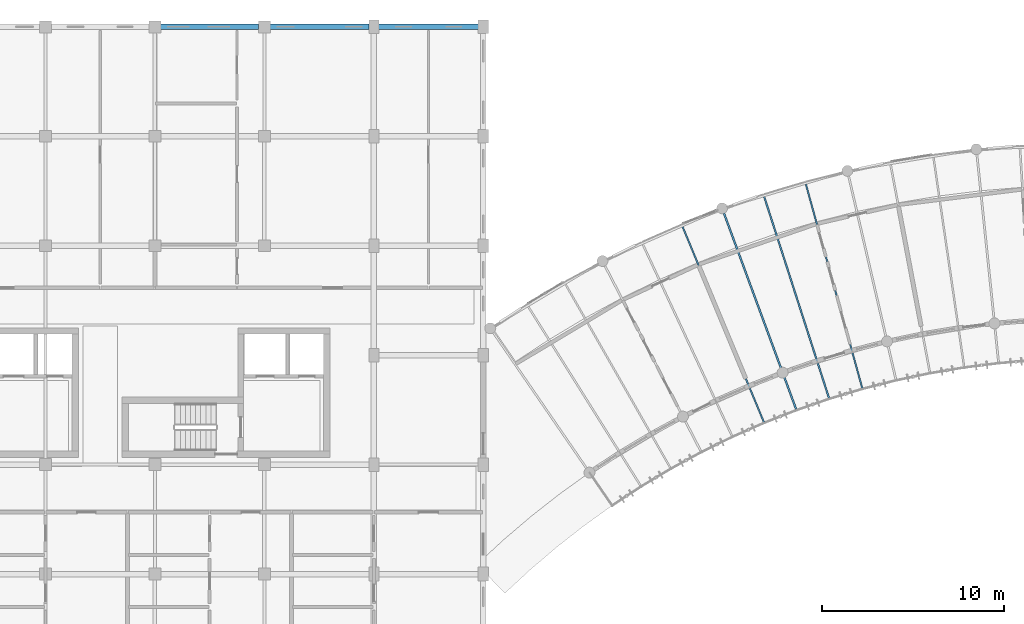
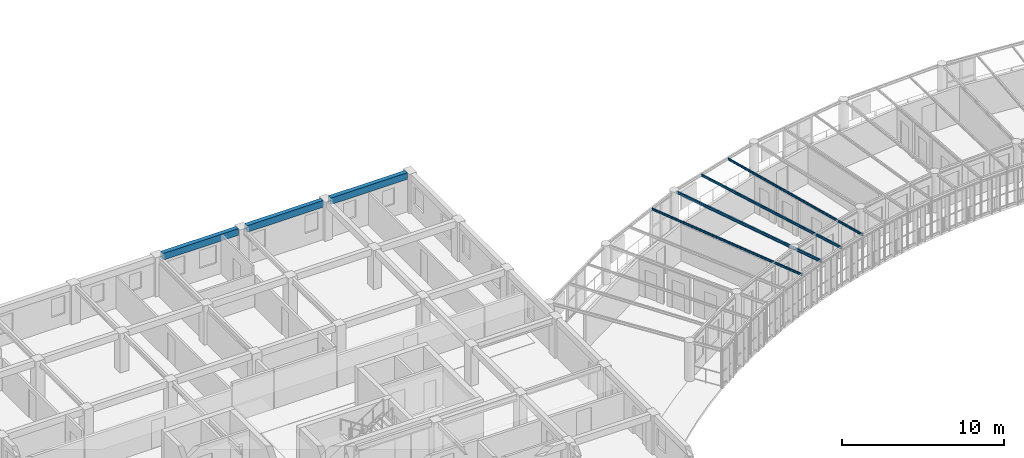
# One storey, part 33 of 100: 7 beams.
"""IFC4 building model written with IfcOpenShell, lengths in metres."""

from ifc_helpers import new_model, si_unit, direction, frame, origin, origin_2d, place, context, subcontext, project, spatial, rectangle, i_section, extrude, material, material_profile, profile_set, type_object, element, save


model = new_model("IFC4")

# Units and contexts
model_context = context("Model", 3, precision=1e-05, world=origin(), true_north=direction((0.0, 1.0)))
body_context = subcontext(model_context, "Body", "Model", "MODEL_VIEW")
ifc_project = project(units=[si_unit("LENGTHUNIT", "METRE"), si_unit("AREAUNIT", "SQUARE_METRE"), si_unit("VOLUMEUNIT", "CUBIC_METRE"), si_unit("PLANEANGLEUNIT", "RADIAN"), si_unit("MASSUNIT", "GRAM", prefix="KILO"), si_unit("POWERUNIT", "WATT"), si_unit("THERMODYNAMICTEMPERATUREUNIT", "KELVIN")], contexts=[model_context])

# Site, building, storey
site_placement = place(None, origin())
site = spatial("IfcSite", under=ifc_project, at=site_placement, CompositionType="ELEMENT")
building_placement = place(site_placement, origin())
building = spatial("IfcBuilding", under=site, at=building_placement, Name="Ruvembo Vaulted Housing Court", CompositionType="ELEMENT")
storey_placement = place(building_placement, frame((0.0, 0.0, 14.10009765625)))
storey = spatial("IfcBuildingStorey", under=building, at=storey_placement, Name="L04", CompositionType="ELEMENT", Elevation=14.10009765625)

# Beams
ifc_material_1 = material(Name="Steel S355J2", Category="steel")
ifc_material_profile_1 = material_profile(ifc_material_1, i_section(OverallWidth=0.08203125, OverallDepth=0.159912109375, WebThickness=0.0048828125, FlangeThickness=0.00732421875, FilletRadius=0.009033203125, at=origin_2d()), Name="IPE 160")
ifc_profile_set_1 = profile_set([ifc_material_profile_1], Name="Steel S355J2")
beam_type_1 = type_object("IfcBeamType", Name="BM-ST-IPE160", PredefinedType="JOIST", material=ifc_profile_set_1)
beam_1_placement = place(storey_placement, frame((94.927001953125, 103.041259765625, 2.85986328125), z_axis=(0.384209051793, -0.92324612348, 0.0), x_axis=(0.92324612348, 0.384209051793, 0.0)))
element("IfcBeam", 1, at=beam_1_placement, inside=storey, type_object=beam_type_1, Name="Scoop SC3 L04 Radial Steel Joist 5", PredefinedType="JOIST", context=body_context, shape_type="SweptSolid", body=[
    extrude(i_section(OverallWidth=0.08203125, OverallDepth=0.159912109375, WebThickness=0.0048828125, FlangeThickness=0.00732421875, FilletRadius=0.009033203125, at=origin_2d()), origin(), (0.0, 0.0, 1.0), 11.690673828125),
])
beam_2_placement = place(storey_placement, frame((101.68603515625, 105.3720703125, 2.85986328125), z_axis=(0.266572021247, -0.963815001693, 0.0), x_axis=(0.963815001693, 0.266572021247, 0.0)))
element("IfcBeam", 2, at=beam_2_placement, inside=storey, type_object=beam_type_1, Name="Scoop SC3 L04 Radial Steel Joist 8", PredefinedType="JOIST", context=body_context, shape_type="SweptSolid", body=[
    extrude(i_section(OverallWidth=0.08203125, OverallDepth=0.159912109375, WebThickness=0.0048828125, FlangeThickness=0.00732421875, FilletRadius=0.009033203125, at=origin_2d()), origin(), (0.0, 0.0, 1.0), 11.69091796875),
])
ifc_material_profile_2 = material_profile(ifc_material_1, i_section(OverallWidth=0.091064453125, OverallDepth=0.179931640625, WebThickness=0.00537109375, FlangeThickness=0.008056640625, FilletRadius=0.009033203125, at=origin_2d()), Name="IPE 180")
ifc_profile_set_2 = profile_set([ifc_material_profile_2], Name="Steel S355J2")
beam_type_2 = type_object("IfcBeamType", Name="BM-ST-IPE180", PredefinedType="JOIST", material=ifc_profile_set_2)
beam_3_placement = place(storey_placement, frame((99.4013671875, 104.68896484375, 2.849853515625), z_axis=(0.306337017889, -0.951923122669, 0.0), x_axis=(0.951923122669, 0.306337017889, 0.0)))
element("IfcBeam", 3, at=beam_3_placement, inside=storey, type_object=beam_type_2, Name="Scoop SC3 L04 Radial Steel Joist 7", PredefinedType="JOIST", context=body_context, shape_type="SweptSolid", body=[
    extrude(i_section(OverallWidth=0.091064453125, OverallDepth=0.179931640625, WebThickness=0.00537109375, FlangeThickness=0.008056640625, FilletRadius=0.009033203125, at=origin_2d()), origin(), (0.0, 0.0, 1.0), 11.690673828125),
])
ifc_material_profile_3 = material_profile(ifc_material_1, i_section(OverallWidth=0.10009765625, OverallDepth=0.199951171875, WebThickness=0.005615234375, FlangeThickness=0.008544921875, FilletRadius=0.011962890625, at=origin_2d()), Name="IPE 200")
ifc_profile_set_3 = profile_set([ifc_material_profile_3], Name="Steel S355J2")
beam_type_3 = type_object("IfcBeamType", Name="BM-ST-IPE200", PredefinedType="BEAM", material=ifc_profile_set_3)
beam_4_placement = place(storey_placement, frame((97.1611328125, 103.873291015625, 2.83984375), z_axis=(0.345566482386, -0.93839427015, 0.0), x_axis=(0.93839427015, 0.345566482386, 0.0)))
element("IfcBeam", 4, at=beam_4_placement, inside=storey, type_object=beam_type_3, Name="Scoop SC3 L04 Radial Steel Joist 6", PredefinedType="BEAM", context=body_context, shape_type="SweptSolid", body=[
    extrude(i_section(OverallWidth=0.10009765625, OverallDepth=0.199951171875, WebThickness=0.005615234375, FlangeThickness=0.008544921875, FilletRadius=0.011962890625, at=origin_2d()), origin(), (0.0, 0.0, 1.0), 11.650146484375),
])
ifc_material_2 = material(Name="Concrete C35/45", Category="concrete")
ifc_material_profile_4 = material_profile(ifc_material_2, rectangle(XDim=0.300048828125, YDim=0.5, at=origin_2d()), Name="RC 300x500")
ifc_profile_set_4 = profile_set([ifc_material_profile_4], Name="Concrete C35/45")
beam_type_4 = type_object("IfcBeamType", Name="SP-RC-300x500", PredefinedType="SPANDREL", material=ifc_profile_set_4)
beam_5_placement = place(storey_placement, frame((66.31005859375, 114.0, 2.699951171875), z_axis=(1.0, 0.0, 0.0), x_axis=(0.0, 1.0, 0.0)))
element("IfcBeam", 5, at=beam_5_placement, inside=storey, type_object=beam_type_4, Name="L04 Grid Beam X #2142", PredefinedType="SPANDREL", context=body_context, shape_type="SweptSolid", body=[
    extrude(rectangle(XDim=0.300048828125, YDim=0.5, at=origin_2d()), origin(), (0.0, 0.0, 1.0), 5.3798828125),
])
beam_6_placement = place(storey_placement, frame((72.31005859375, 114.0, 2.699951171875), z_axis=(1.0, 0.0, 0.0), x_axis=(0.0, 1.0, 0.0)))
element("IfcBeam", 6, at=beam_6_placement, inside=storey, type_object=beam_type_4, Name="L04 Grid Beam X #2143", PredefinedType="SPANDREL", context=body_context, shape_type="SweptSolid", body=[
    extrude(rectangle(XDim=0.300048828125, YDim=0.5, at=origin_2d()), origin(), (0.0, 0.0, 1.0), 5.429931640625),
])
beam_7_placement = place(storey_placement, frame((78.260009765625, 114.0, 2.699951171875), z_axis=(1.0, 0.0, 0.0), x_axis=(0.0, 1.0, 0.0)))
element("IfcBeam", 7, at=beam_7_placement, inside=storey, type_object=beam_type_4, Name="L04 Grid Beam X #2144", PredefinedType="SPANDREL", context=body_context, shape_type="SweptSolid", body=[
    extrude(rectangle(XDim=0.300048828125, YDim=0.5, at=origin_2d()), origin(), (0.0, 0.0, 1.0), 5.47998046875),
])

save(model, "model.ifc")
